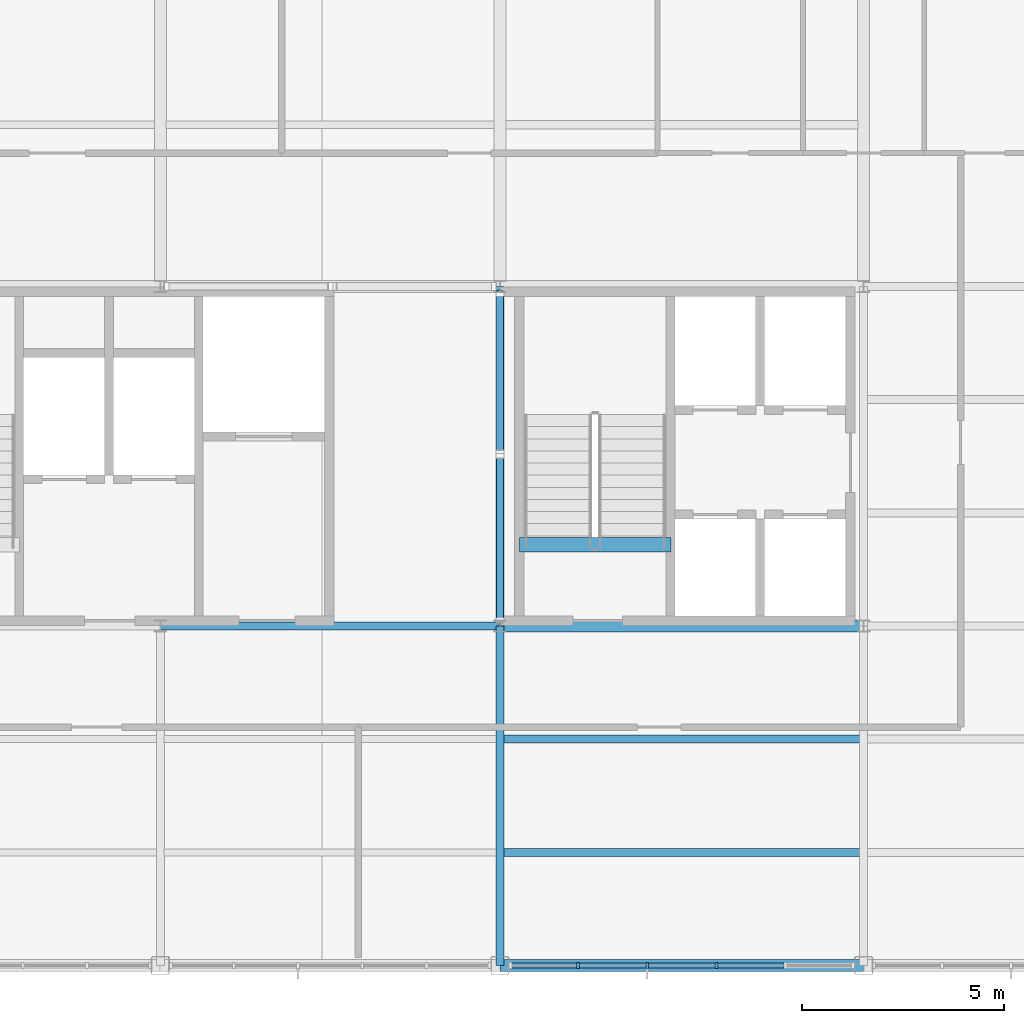
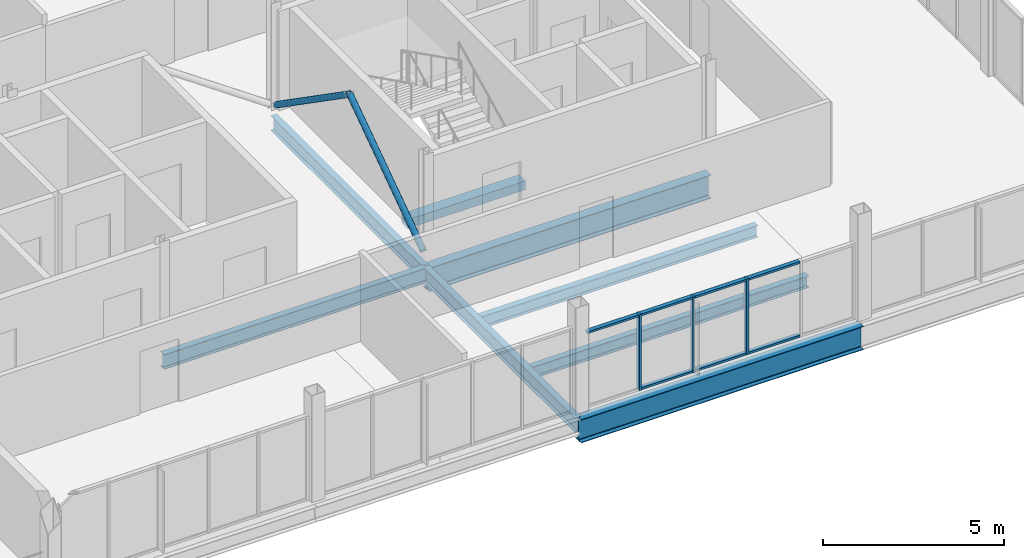
# One storey, part 4 of 14: 12 members, 8 beams, 1 element without a shape of its own.
"""IFC4 building model written with IfcOpenShell, lengths in metres."""

from ifc_helpers import new_model, si_unit, direction, frame, origin, origin_2d, place, context, subcontext, project, spatial, rectangle, hollow_circle, i_section, extrude, material, layer, layer_set, material_profile, profile_set, type_object, element, aggregate, save


model = new_model("IFC4")

# Units and contexts
model_context = context("Model", 3, precision=1e-05, world=origin(), true_north=direction((0.0, 1.0)))
body_context = subcontext(model_context, "Body", "Model", "MODEL_VIEW")
ifc_project = project(units=[si_unit("LENGTHUNIT", "METRE"), si_unit("AREAUNIT", "SQUARE_METRE"), si_unit("VOLUMEUNIT", "CUBIC_METRE"), si_unit("PLANEANGLEUNIT", "RADIAN"), si_unit("MASSUNIT", "GRAM", prefix="KILO")], contexts=[model_context])

# Site, building, storey
site_placement = place(None, origin())
site = spatial("IfcSite", under=ifc_project, at=site_placement, CompositionType="ELEMENT")
building_placement = place(site_placement, origin())
building = spatial("IfcBuilding", under=site, at=building_placement, Name="Yukiwa Park Conservatory and Herbarium", CompositionType="ELEMENT")
storey_placement = place(building_placement, frame((0.0, 0.0, 50.39990234375)))
storey = spatial("IfcBuildingStorey", under=building, at=storey_placement, Name="L13", CompositionType="ELEMENT", Elevation=50.39990234375)

# Beams
ifc_material_1 = material(Name="Steel Q355D", Category="steel")
ifc_material_profile_1 = material_profile(ifc_material_1, i_section(OverallWidth=0.199951171875, OverallDepth=0.5, WebThickness=0.010009765625, FlangeThickness=0.01611328125, FilletRadius=0.02001953125, at=origin_2d()), Name="HN 500x200x10x16")
ifc_profile_set_1 = profile_set([ifc_material_profile_1], Name="Steel Q355D")
beam_type_1 = type_object("IfcBeamType", Name="BM-GRD-HN500", PredefinedType="BEAM", material=ifc_profile_set_1)
for number, where, z_axis, x_axis, name in (
    (1, (141.60595703125, 94.800048828125, -0.511962890625), (1.0, 0.0, 0.0), (0.0, 1.0, 0.0), "L13 grid beam X-8"),
    (2, (150.0, 86.406005859375, -0.511962890625), (0.0, 1.0, 0.0), (-1.0, 0.0, 0.0), "L13 grid girder Y-29"),
):
    element("IfcBeam", number, at=place(storey_placement, frame(where, z_axis=z_axis, x_axis=x_axis)), inside=storey, type_object=beam_type_1, Name=name, PredefinedType="BEAM", context=body_context, shape_type="SweptSolid", body=[
        extrude(i_section(OverallWidth=0.199951171875, OverallDepth=0.5, WebThickness=0.010009765625, FlangeThickness=0.01611328125, FilletRadius=0.02001953125, at=origin_2d()), origin(), (0.0, 0.0, 1.0), 8.387939453125),
    ])
beam_1_placement = place(storey_placement, frame((150.0, 94.805908203125, -0.511962890625), z_axis=(0.0, 1.0, 0.0), x_axis=(-1.0, 0.0, 0.0)))
element("IfcBeam", 3, at=beam_1_placement, inside=storey, type_object=beam_type_1, Name="L13 grid girder Y-30", PredefinedType="BEAM", context=body_context, shape_type="SweptSolid", body=[
    extrude(i_section(OverallWidth=0.199951171875, OverallDepth=0.5, WebThickness=0.010009765625, FlangeThickness=0.01611328125, FilletRadius=0.02001953125, at=origin_2d()), origin(), (0.0, 0.0, 1.0), 8.38818359375),
])
ifc_material_2 = material(Name="Steel Q355D", Category="steel")
ifc_material_profile_2 = material_profile(ifc_material_2, i_section(OverallWidth=0.199951171875, OverallDepth=0.39990234375, WebThickness=0.008056640625, FlangeThickness=0.012939453125, FilletRadius=0.01611328125, at=origin_2d()), Name="HN 400x200x8x13")
ifc_profile_set_2 = profile_set([ifc_material_profile_2], Name="Steel Q355D")
beam_type_2 = type_object("IfcBeamType", Name="BM-JST-HN400", PredefinedType="JOIST", material=ifc_profile_set_2)
for number, where, z_axis, x_axis, name in (
    (4, (150.095947265625, 89.199951171875, -0.4619140625), (1.0, 0.0, 0.0), (0.0, 1.0, 0.0), "L13 composite floor joist 15"),
    (5, (150.095947265625, 92.0, -0.4619140625), (1.0, 0.0, 0.0), (0.0, 1.0, 0.0), "L13 composite floor joist 16"),
):
    element("IfcBeam", number, at=place(storey_placement, frame(where, z_axis=z_axis, x_axis=x_axis)), inside=storey, type_object=beam_type_2, Name=name, PredefinedType="JOIST", context=body_context, shape_type="SweptSolid", body=[
        extrude(i_section(OverallWidth=0.199951171875, OverallDepth=0.39990234375, WebThickness=0.008056640625, FlangeThickness=0.012939453125, FilletRadius=0.01611328125, at=origin_2d()), origin(), (0.0, 0.0, 1.0), 8.80810546875),
    ])
ifc_material_3 = material(Name="Steel Q355D", Category="steel")
ifc_material_profile_3 = material_profile(ifc_material_3, i_section(OverallWidth=0.300048828125, OverallDepth=0.7919921875, WebThickness=0.013916015625, FlangeThickness=0.02197265625, FilletRadius=0.028076171875, at=origin_2d()), Name="HN 792x300x14x22")
ifc_profile_set_3 = profile_set([ifc_material_profile_3], Name="Steel Q355D")
beam_type_3 = type_object("IfcBeamType", Name="BM-SPN-HN600", PredefinedType="SPANDREL", material=ifc_profile_set_3)
for number, where, z_axis, x_axis, name in (
    (6, (150.006103515625, 86.39990234375, -0.657958984375), (1.0, 0.0, 0.0), (0.0, 1.0, 0.0), "L13 spandrel beam X-4"),
    (7, (150.006103515625, 94.800048828125, -0.657958984375), (1.0, 0.0, 0.0), (0.0, 1.0, 0.0), "L13 spandrel beam X-9"),
):
    element("IfcBeam", number, at=place(storey_placement, frame(where, z_axis=z_axis, x_axis=x_axis)), inside=storey, type_object=beam_type_3, Name=name, PredefinedType="SPANDREL", context=body_context, shape_type="SweptSolid", body=[
        extrude(i_section(OverallWidth=0.300048828125, OverallDepth=0.7919921875, WebThickness=0.013916015625, FlangeThickness=0.02197265625, FilletRadius=0.028076171875, at=origin_2d()), origin(), (0.0, 0.0, 1.0), 8.98779296875),
    ])
ifc_material_4 = material(Name="Concrete C40", Category="concrete")
ifc_material_profile_4 = material_profile(ifc_material_4, rectangle(XDim=0.35009765625, YDim=0.300048828125, at=origin_2d()), Name="RC 350x300")
ifc_profile_set_4 = profile_set([ifc_material_profile_4], Name="Concrete C40")
beam_type_4 = type_object("IfcBeamType", Name="BM-STAIR-TRIM", PredefinedType="BEAM", material=ifc_profile_set_4)
beam_2_placement = place(storey_placement, frame((150.47998046875, 96.81005859375, -0.14990234375), z_axis=(1.0, 0.0, 0.0), x_axis=(0.0, 1.0, 0.0)))
element("IfcBeam", 8, at=beam_2_placement, inside=storey, type_object=beam_type_4, Name="Stair ST-T2 L13 landing trimmer beam", PredefinedType="BEAM", context=body_context, shape_type="SweptSolid", body=[
    extrude(rectangle(XDim=0.35009765625, YDim=0.300048828125, at=origin_2d()), origin(), (0.0, 0.0, 1.0), 3.75),
])

# Members
ifc_material_5 = material(Name="Steel Q355D", Category="steel")
ifc_material_profile_5 = material_profile(ifc_material_5, hollow_circle(Radius=0.096923828125, WallThickness=0.010009765625, at=origin_2d()), Name="CHS 193.7x10")
ifc_profile_set_5 = profile_set([ifc_material_profile_5], Name="Steel Q355D")
member_type_1 = type_object("IfcMemberType", Name="MB-BR-CHS194", PredefinedType="BRACE", material=ifc_profile_set_5)
for number, where, z_axis, x_axis, name in (
    (9, (150.0, 94.9453125, 0.151123046875), (0.0, 0.820960611729, 0.57098482816), (-1.0, 0.0, 0.0), "L13 concentric chevron brace 67"),
    (10, (150.0, 103.0546875, 0.151123046875), (0.0, -0.820960611729, 0.57098482816), (1.0, 0.0, 0.0), "L13 concentric chevron brace 68"),
):
    element("IfcMember", number, at=place(storey_placement, frame(where, z_axis=z_axis, x_axis=x_axis)), inside=storey, type_object=member_type_1, Name=name, PredefinedType="BRACE", context=body_context, shape_type="SweptSolid", body=[
        extrude(hollow_circle(Radius=0.096923828125, WallThickness=0.010009765625, at=origin_2d()), origin(), (0.0, 0.0, 1.0), 4.93896484375),
    ])

# Curtain wall, members
ifc_material_6 = material(Name="Triple Low-E Insulated Glass", Category="glass")
ifc_layer = layer(ifc_material_6, 0.27197265625)
ifc_layer_set = layer_set([ifc_layer], Name="Triple Low-E Insulated Glass")
curtain_wall_type = type_object("IfcCurtainWallType", Name="CW-TOWER-LIB-1600", PredefinedType="NOTDEFINED", material=ifc_layer_set)
curtain_wall_placement = place(storey_placement, origin())
curtain_wall = element("IfcCurtainWall", 11, at=curtain_wall_placement, inside=storey, type_object=curtain_wall_type, Name="L13 unitised curtain wall CW-L13-131", PredefinedType="NOTDEFINED")
ifc_material_7 = material(Name="Anodised Aluminium", Category="aluminium")
member_type_2 = type_object("IfcMemberType", Name="MB-CW-MUL-70X150", PredefinedType="MULLION", material=ifc_material_7)
member_1_placement = place(storey_placement, frame((151.93505859375, 86.39990234375, 0.0), z_axis=(0.0, 0.0, 1.0), x_axis=(1.0, 0.0, 0.0)))
member_1 = element("IfcMember", 12, at=member_1_placement, type_object=member_type_2, Name="CW-L13-131 mullion 2", PredefinedType="MULLION", context=body_context, shape_type="SweptSolid", body=[
    extrude(rectangle(XDim=0.070068359375, YDim=0.14990234375, at=origin_2d()), origin(), (0.0, 0.0, 1.0), 2.553955078125),
])
member_2_placement = place(storey_placement, frame((153.64501953125, 86.39990234375, 0.0), z_axis=(0.0, 0.0, 1.0), x_axis=(1.0, 0.0, 0.0)))
member_2 = element("IfcMember", 13, at=member_2_placement, type_object=member_type_2, Name="CW-L13-131 mullion 3", PredefinedType="MULLION", context=body_context, shape_type="SweptSolid", body=[
    extrude(rectangle(XDim=0.070068359375, YDim=0.14990234375, at=origin_2d()), origin(), (0.0, 0.0, 1.0), 2.553955078125),
])
member_3_placement = place(storey_placement, frame((155.35498046875, 86.39990234375, 0.0), z_axis=(0.0, 0.0, 1.0), x_axis=(1.0, 0.0, 0.0)))
member_3 = element("IfcMember", 14, at=member_3_placement, type_object=member_type_2, Name="CW-L13-131 mullion 4", PredefinedType="MULLION", context=body_context, shape_type="SweptSolid", body=[
    extrude(rectangle(XDim=0.070068359375, YDim=0.14990234375, at=origin_2d()), origin(), (0.0, 0.0, 1.0), 2.553955078125),
])
ifc_material_8 = material(Name="Anodised Aluminium", Category="aluminium")
member_type_3 = type_object("IfcMemberType", Name="MB-CW-TRN-70X130", PredefinedType="USERDEFINED", material=ifc_material_8)
member_4_placement = place(storey_placement, frame((151.080078125, 86.39990234375, 2.48388671875), z_axis=(0.0, 0.0, 1.0), x_axis=(1.0, 0.0, 0.0)))
member_4 = element("IfcMember", 15, at=member_4_placement, type_object=member_type_3, Name="CW-L13-131 transom 1.2", ObjectType="TRANSOM", PredefinedType="USERDEFINED", context=body_context, shape_type="SweptSolid", body=[
    extrude(rectangle(XDim=1.639892578125, YDim=0.1298828125, at=origin_2d()), origin(), (0.0, 0.0, 1.0), 0.070068359375),
])
member_5_placement = place(storey_placement, frame((152.7900390625, 86.39990234375, 0.0), z_axis=(0.0, 0.0, 1.0), x_axis=(1.0, 0.0, 0.0)))
member_5 = element("IfcMember", 16, at=member_5_placement, type_object=member_type_3, Name="CW-L13-131 transom 2.1", ObjectType="TRANSOM", PredefinedType="USERDEFINED", context=body_context, shape_type="SweptSolid", body=[
    extrude(rectangle(XDim=1.639892578125, YDim=0.1298828125, at=origin_2d()), origin(), (0.0, 0.0, 1.0), 0.070068359375),
])
member_6_placement = place(storey_placement, frame((152.7900390625, 86.39990234375, 2.48388671875), z_axis=(0.0, 0.0, 1.0), x_axis=(1.0, 0.0, 0.0)))
member_6 = element("IfcMember", 17, at=member_6_placement, type_object=member_type_3, Name="CW-L13-131 transom 2.2", ObjectType="TRANSOM", PredefinedType="USERDEFINED", context=body_context, shape_type="SweptSolid", body=[
    extrude(rectangle(XDim=1.639892578125, YDim=0.1298828125, at=origin_2d()), origin(), (0.0, 0.0, 1.0), 0.070068359375),
])
member_7_placement = place(storey_placement, frame((154.5, 86.39990234375, 0.0), z_axis=(0.0, 0.0, 1.0), x_axis=(1.0, 0.0, 0.0)))
member_7 = element("IfcMember", 18, at=member_7_placement, type_object=member_type_3, Name="CW-L13-131 transom 3.1", ObjectType="TRANSOM", PredefinedType="USERDEFINED", context=body_context, shape_type="SweptSolid", body=[
    extrude(rectangle(XDim=1.639892578125, YDim=0.1298828125, at=origin_2d()), origin(), (0.0, 0.0, 1.0), 0.070068359375),
])
member_8_placement = place(storey_placement, frame((154.5, 86.39990234375, 2.48388671875), z_axis=(0.0, 0.0, 1.0), x_axis=(1.0, 0.0, 0.0)))
member_8 = element("IfcMember", 19, at=member_8_placement, type_object=member_type_3, Name="CW-L13-131 transom 3.2", ObjectType="TRANSOM", PredefinedType="USERDEFINED", context=body_context, shape_type="SweptSolid", body=[
    extrude(rectangle(XDim=1.639892578125, YDim=0.1298828125, at=origin_2d()), origin(), (0.0, 0.0, 1.0), 0.070068359375),
])
member_9_placement = place(storey_placement, frame((156.2099609375, 86.39990234375, 0.0), z_axis=(0.0, 0.0, 1.0), x_axis=(1.0, 0.0, 0.0)))
member_9 = element("IfcMember", 20, at=member_9_placement, type_object=member_type_3, Name="CW-L13-131 transom 4.1", ObjectType="TRANSOM", PredefinedType="USERDEFINED", context=body_context, shape_type="SweptSolid", body=[
    extrude(rectangle(XDim=1.639892578125, YDim=0.1298828125, at=origin_2d()), origin(), (0.0, 0.0, 1.0), 0.070068359375),
])
member_10_placement = place(storey_placement, frame((156.2099609375, 86.39990234375, 2.48388671875), z_axis=(0.0, 0.0, 1.0), x_axis=(1.0, 0.0, 0.0)))
member_10 = element("IfcMember", 21, at=member_10_placement, type_object=member_type_3, Name="CW-L13-131 transom 4.2", ObjectType="TRANSOM", PredefinedType="USERDEFINED", context=body_context, shape_type="SweptSolid", body=[
    extrude(rectangle(XDim=1.639892578125, YDim=0.1298828125, at=origin_2d()), origin(), (0.0, 0.0, 1.0), 0.070068359375),
])
aggregate(curtain_wall, [member_1, member_2, member_3, member_4, member_5, member_6, member_7, member_8, member_9, member_10])

save(model, "model.ifc")
